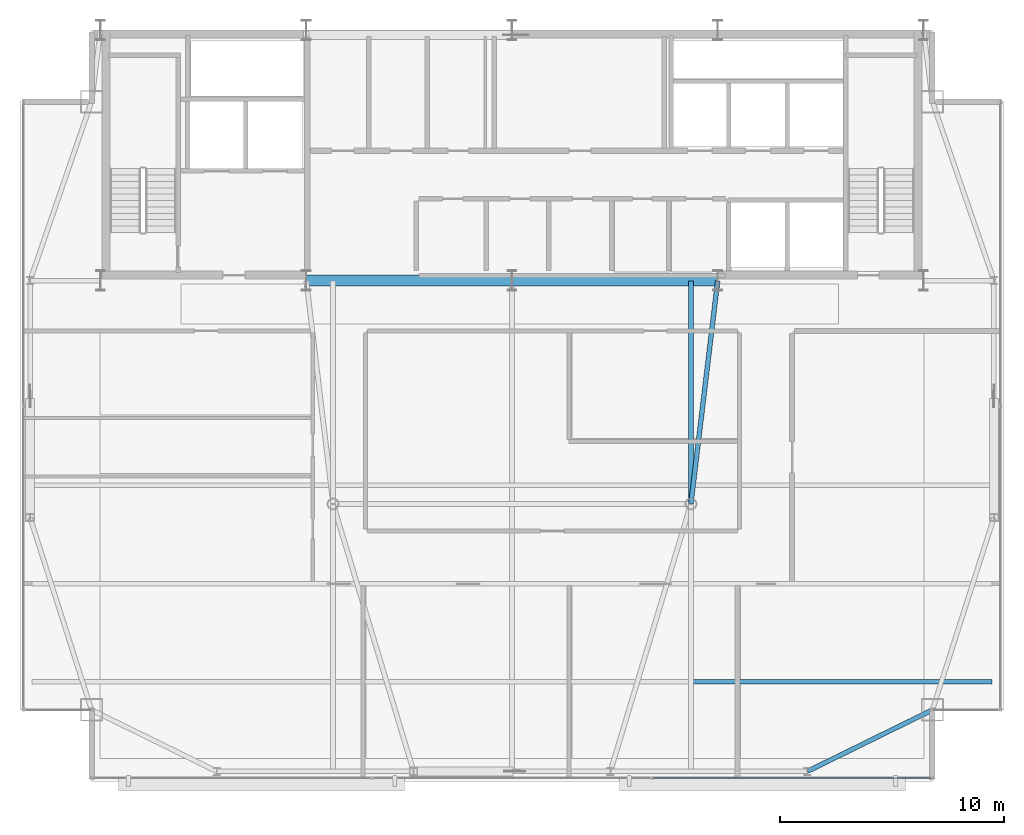
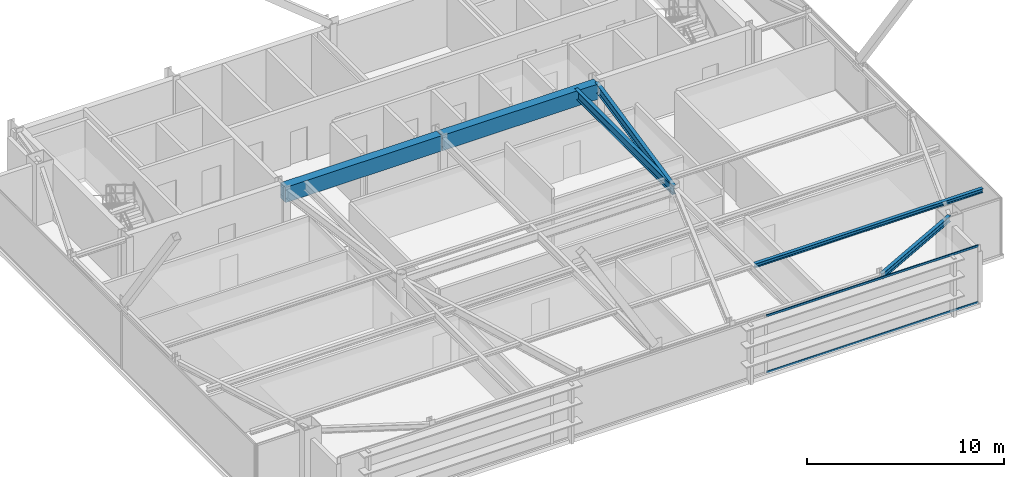
# One storey, part 13 of 24: 6 beams, 2 members, 1 element without a shape of its own.
"""IFC4 building model written with IfcOpenShell, lengths in metres."""

from ifc_helpers import new_model, si_unit, direction, frame, origin, origin_2d, place, context, subcontext, project, spatial, rectangle, hollow_rectangle, i_section, extrude, source, transform, mapped, material, layer, layer_set, material_profile, profile_set, type_object, type_shapes, element, aggregate, save


model = new_model("IFC4")

# Units and contexts
model_context = context("Model", 3, precision=1e-05, world=origin(), true_north=direction((0.0, 1.0)))
body_context = subcontext(model_context, "Body", "Model", "MODEL_VIEW")
ifc_project = project(units=[si_unit("LENGTHUNIT", "METRE"), si_unit("AREAUNIT", "SQUARE_METRE"), si_unit("VOLUMEUNIT", "CUBIC_METRE"), si_unit("PLANEANGLEUNIT", "RADIAN"), si_unit("MASSUNIT", "GRAM", prefix="KILO")], contexts=[model_context])

# Site, building, storey
site_placement = place(None, origin())
site = spatial("IfcSite", under=ifc_project, at=site_placement, CompositionType="ELEMENT")
building_placement = place(site_placement, origin())
building = spatial("IfcBuilding", under=site, at=building_placement, Name="Varnel Quay Broadcast Tower", CompositionType="ELEMENT")
storey_placement = place(building_placement, frame((0.0, 0.0, 262.199951171875)))
storey = spatial("IfcBuildingStorey", under=building, at=storey_placement, Name="L65", CompositionType="ELEMENT", Elevation=262.199951171875)

# Beams
ifc_material_1 = material(Name="Concrete CSA A23.3 C50/60", Category="concrete")
ifc_material_profile_1 = material_profile(ifc_material_1, rectangle(XDim=0.5, YDim=0.949951171875, at=origin_2d()), Name="RC500X950")
ifc_profile_set_1 = profile_set([ifc_material_profile_1], Name="Concrete CSA A23.3 C50/60")
beam_type_1 = type_object("IfcBeamType", Name="Beam_RC500X950", PredefinedType="BEAM", material=ifc_profile_set_1)
shared_shape_1 = source(origin(), body_context, "Body", "SweptSolid", [
    extrude(rectangle(XDim=0.5, YDim=0.949951171875, at=origin_2d()), origin(), (0.0, 0.0, 1.0), 9.159912109375),
])
type_shapes(beam_type_1, [shared_shape_1])
for number, where, z_axis, x_axis, name in (
    (1, (24.820068359375, 35.60009765625, 3.074951171875), (1.0, 0.0, 0.0), (0.0, 1.0, 0.0), "L65 Core Coupling Beam W"),
    (2, (34.02001953125, 35.60009765625, 3.074951171875), (1.0, 0.0, 0.0), (0.0, 1.0, 0.0), "L65 Core Coupling Beam E"),
):
    element("IfcBeam", number, at=place(storey_placement, frame(where, z_axis=z_axis, x_axis=x_axis)), inside=storey, type_object=beam_type_1, Name=name, PredefinedType="BEAM", context=body_context, shape_type="MappedRepresentation", body=[
        mapped(shared_shape_1, transform((0.0, 0.0, 0.0), x_axis=(1.0, 0.0, 0.0), y_axis=(0.0, 1.0, 0.0), z_axis=(0.0, 0.0, 1.0), scale=1.0)),
    ])
ifc_material_2 = material(Name="Structural Steel CSA G40.21 350W", Category="steel")
ifc_material_profile_2 = material_profile(ifc_material_2, i_section(OverallWidth=0.205078125, OverallDepth=0.35400390625, WebThickness=0.009521484375, FlangeThickness=0.016845703125, FilletRadius=0.012939453125, at=origin_2d()), Name="W360X79")
ifc_profile_set_2 = profile_set([ifc_material_profile_2], Name="Structural Steel CSA G40.21 350W")
beam_type_2 = type_object("IfcBeamType", Name="Beam_W360X79", PredefinedType="SPANDREL", material=ifc_profile_set_2)
shared_shape_2 = source(origin(), body_context, "Body", "SweptSolid", [
    extrude(i_section(OverallWidth=0.205078125, OverallDepth=0.35400390625, WebThickness=0.009521484375, FlangeThickness=0.016845703125, FilletRadius=0.012939453125, at=origin_2d()), origin(), (0.0, 0.0, 1.0), 6.19873046875),
])
type_shapes(beam_type_2, [shared_shape_2])
beam_1_placement = place(storey_placement, frame((47.218017578125, 13.65869140625, 3.373046875), z_axis=(0.897602447358, 0.440805905697, 0.0), x_axis=(-0.440805905697, 0.897602447358, 0.0)))
element("IfcBeam", 3, at=beam_1_placement, inside=storey, type_object=beam_type_2, Name="L65 South Spandrel TC-S4-MC-SE", PredefinedType="SPANDREL", context=body_context, shape_type="MappedRepresentation", body=[
    mapped(shared_shape_2, transform((0.0, 0.0, 0.0), x_axis=(1.0, 0.0, 0.0), y_axis=(0.0, 1.0, 0.0), z_axis=(0.0, 0.0, 1.0), scale=1.0)),
])
ifc_material_profile_3 = material_profile(ifc_material_2, i_section(OverallWidth=0.2119140625, OverallDepth=0.5439453125, WebThickness=0.01318359375, FlangeThickness=0.021240234375, FilletRadius=0.013916015625, at=origin_2d()), Name="W530X123")
ifc_profile_set_3 = profile_set([ifc_material_profile_3], Name="Structural Steel CSA G40.21 350W")
beam_type_3 = type_object("IfcBeamType", Name="Girder_W530X123", PredefinedType="BEAM", material=ifc_profile_set_3)
shared_shape_3 = source(origin(), body_context, "Body", "SweptSolid", [
    extrude(i_section(OverallWidth=0.2119140625, OverallDepth=0.5439453125, WebThickness=0.01318359375, FlangeThickness=0.021240234375, FilletRadius=0.013916015625, at=origin_2d()), origin(), (0.0, 0.0, 1.0), 10.021728515625),
])
beam_2_placement = place(storey_placement, frame((42.00244140625, 25.6298828125, 3.278076171875), z_axis=(0.119248005741, 0.992864498875, 0.0), x_axis=(-0.992864498875, 0.119248005741, 0.0)))
element("IfcBeam", 4, at=beam_2_placement, inside=storey, type_object=beam_type_3, Name="L65 Primary Girder IC-02-CC-S4", PredefinedType="BEAM", context=body_context, shape_type="MappedRepresentation", body=[
    mapped(shared_shape_3, transform((0.0, 0.0, 0.0), x_axis=(1.0, 0.0, 0.0), y_axis=(0.0, 1.0, 0.0), z_axis=(0.0, 0.0, 1.0), scale=1.0)),
])
shared_shape_4 = source(origin(), body_context, "Body", "SweptSolid", [
    extrude(i_section(OverallWidth=0.2119140625, OverallDepth=0.5439453125, WebThickness=0.01318359375, FlangeThickness=0.021240234375, FilletRadius=0.013916015625, at=origin_2d()), origin(), (0.0, 0.0, 1.0), 9.9501953125),
])
type_shapes(beam_type_3, [shared_shape_3, shared_shape_4])
beam_3_placement = place(storey_placement, frame((42.0, 25.6298828125, 3.278076171875), z_axis=(0.0, 1.0, 0.0), x_axis=(-1.0, 0.0, 0.0)))
element("IfcBeam", 5, at=beam_3_placement, inside=storey, type_object=beam_type_3, Name="L65 N-S Joist Header IC-02N", PredefinedType="BEAM", context=body_context, shape_type="MappedRepresentation", body=[
    mapped(shared_shape_4, transform((0.0, 0.0, 0.0), x_axis=(1.0, 0.0, 0.0), y_axis=(0.0, 1.0, 0.0), z_axis=(0.0, 0.0, 1.0), scale=1.0)),
])
ifc_material_profile_4 = material_profile(ifc_material_2, i_section(OverallWidth=0.201904296875, OverallDepth=0.2470703125, WebThickness=0.00732421875, FlangeThickness=0.010986328125, FilletRadius=0.010986328125, at=origin_2d()), Name="W250X49")
ifc_profile_set_4 = profile_set([ifc_material_profile_4], Name="Structural Steel CSA G40.21 350W")
beam_type_4 = type_object("IfcBeamType", Name="Beam_W250X49", PredefinedType="JOIST", material=ifc_profile_set_4)
shared_shape_5 = source(origin(), body_context, "Body", "SweptSolid", [
    extrude(i_section(OverallWidth=0.201904296875, OverallDepth=0.2470703125, WebThickness=0.00732421875, FlangeThickness=0.010986328125, FilletRadius=0.010986328125, at=origin_2d()), origin(), (0.0, 0.0, 1.0), 13.351318359375),
])
type_shapes(beam_type_4, [shared_shape_5])
beam_4_placement = place(storey_placement, frame((42.10107421875, 17.64990234375, 3.426513671875), z_axis=(1.0, 0.0, 0.0), x_axis=(0.0, 1.0, 0.0)))
element("IfcBeam", 6, at=beam_4_placement, inside=storey, type_object=beam_type_4, Name="L65 East Floor Joist 1", PredefinedType="JOIST", context=body_context, shape_type="MappedRepresentation", body=[
    mapped(shared_shape_5, transform((0.0, 0.0, 0.0), x_axis=(1.0, 0.0, 0.0), y_axis=(0.0, 1.0, 0.0), z_axis=(0.0, 0.0, 1.0), scale=1.0)),
])

# Curtain wall, members
ifc_material_3 = material(Name="Anodised Bronze Aluminium 6063-T6", Category="aluminium")
ifc_layer = layer(ifc_material_3, 0.18994140625, Name="Anodised Bronze Aluminium 6063-T6")
ifc_layer_set = layer_set([ifc_layer], Name="Anodised Bronze Aluminium 6063-T6")
curtain_wall_type = type_object("IfcCurtainWallType", Name="CW_UpperTower", PredefinedType="NOTDEFINED", material=ifc_layer_set)
curtain_wall_placement = place(storey_placement, origin())
curtain_wall = element("IfcCurtainWall", 7, at=curtain_wall_placement, inside=storey, type_object=curtain_wall_type, Name="L65 South Unitised Curtain Wall 1", PredefinedType="NOTDEFINED")
ifc_material_profile_5 = material_profile(ifc_material_3, hollow_rectangle(XDim=0.06005859375, YDim=0.125, WallThickness=0.0029296875, at=origin_2d()), Name="ALU60X125X3")
ifc_profile_set_5 = profile_set([ifc_material_profile_5], Name="Anodised Bronze Aluminium 6063-T6")
member_type = type_object("IfcMemberType", Name="Tran_CWS-03", PredefinedType="USERDEFINED", material=ifc_profile_set_5)
shared_shape_6 = source(origin(), body_context, "Body", "SweptSolid", [
    extrude(hollow_rectangle(XDim=0.06005859375, YDim=0.125, WallThickness=0.0029296875, at=origin_2d()), origin(), (0.0, 0.0, 1.0), 12.43603515625),
])
type_shapes(member_type, [shared_shape_6])
member_1_placement = place(storey_placement, frame((40.299072265625, 13.35009765625, 0.030029296875), z_axis=(1.0, 0.0, 0.0), x_axis=(0.0, 1.0, 0.0)))
member_1 = element("IfcMember", 8, at=member_1_placement, type_object=member_type, Name="CWS-03 transom 3.1", ObjectType="TRANSOM", PredefinedType="USERDEFINED", context=body_context, shape_type="MappedRepresentation", body=[
    mapped(shared_shape_6, transform((0.0, 0.0, 0.0), x_axis=(1.0, 0.0, 0.0), y_axis=(0.0, 1.0, 0.0), z_axis=(0.0, 0.0, 1.0), scale=1.0)),
])
member_2_placement = place(storey_placement, frame((40.299072265625, 13.35009765625, 3.52001953125), z_axis=(1.0, 0.0, 0.0), x_axis=(0.0, 1.0, 0.0)))
member_2 = element("IfcMember", 9, at=member_2_placement, type_object=member_type, Name="CWS-03 transom 3.2", ObjectType="TRANSOM", PredefinedType="USERDEFINED", context=body_context, shape_type="MappedRepresentation", body=[
    mapped(shared_shape_6, transform((0.0, 0.0, 0.0), x_axis=(1.0, 0.0, 0.0), y_axis=(0.0, 1.0, 0.0), z_axis=(0.0, 0.0, 1.0), scale=1.0)),
])
aggregate(curtain_wall, [member_1, member_2])

save(model, "model.ifc")
